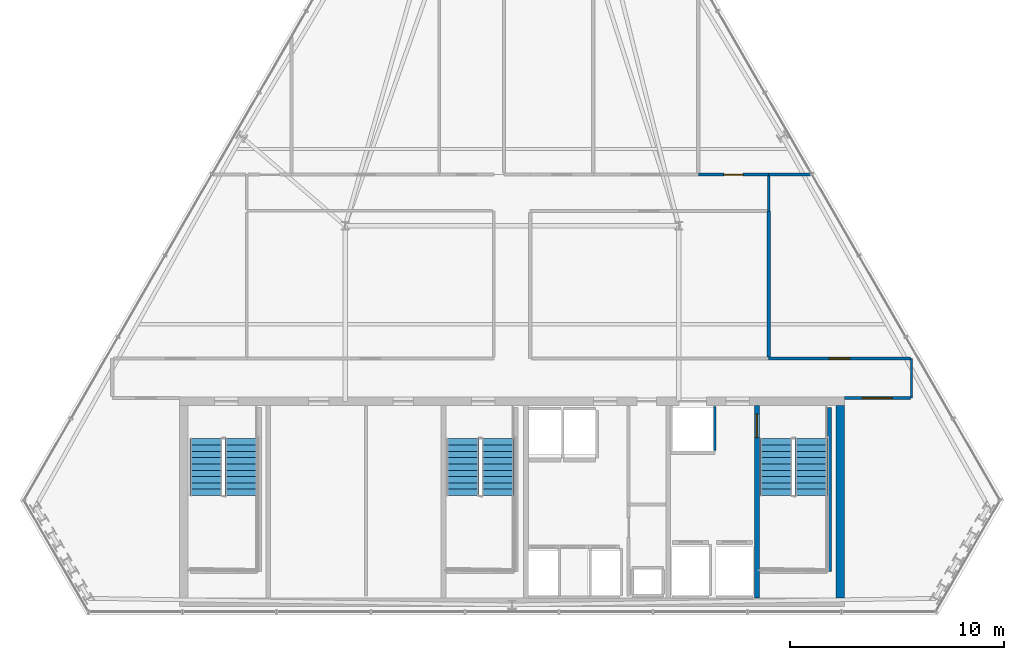
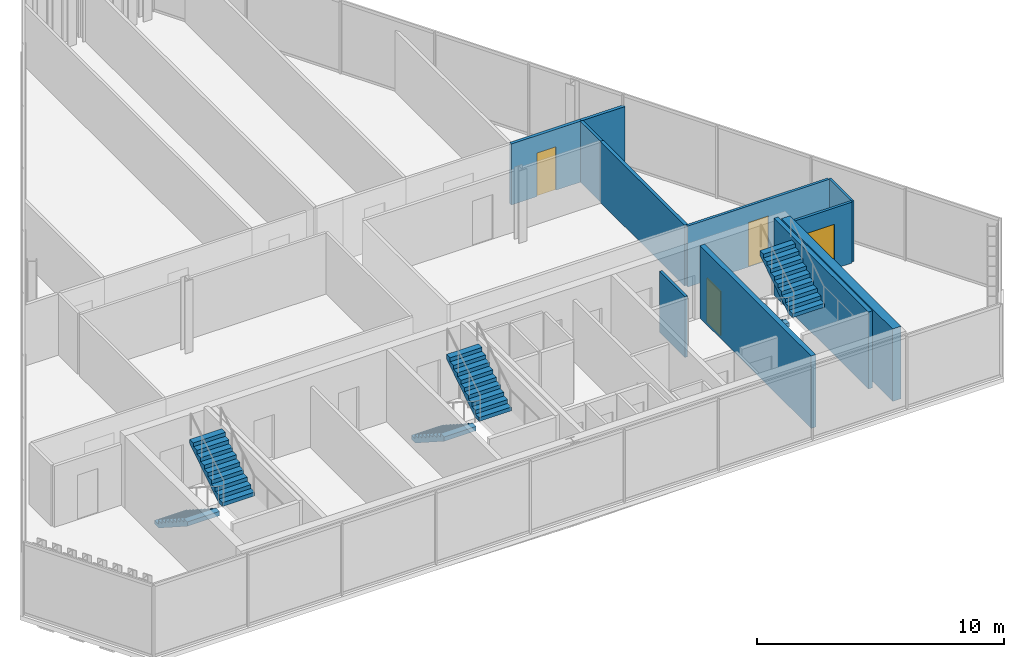
# One storey, part 29 of 32: 11 walls, 6 stair flights, 4 doors, 4 openings, 3 elements without a shape of their own.
"""IFC4 building model written with IfcOpenShell, lengths in metres."""

from ifc_helpers import new_model, si_unit, direction, frame, frame_2d, origin, place, context, subcontext, project, spatial, polyline, rectangle, outline, extrude, material, layer, layer_set, type_object, element, fill, aggregate, save


model = new_model("IFC4")

# Units and contexts
model_context = context("Model", 3, precision=1e-05, world=origin(), true_north=direction((0.0, 1.0)))
body_context = subcontext(model_context, "Body", "Model", "MODEL_VIEW")
ifc_project = project(units=[si_unit("LENGTHUNIT", "METRE"), si_unit("AREAUNIT", "SQUARE_METRE"), si_unit("VOLUMEUNIT", "CUBIC_METRE"), si_unit("PLANEANGLEUNIT", "RADIAN"), si_unit("MASSUNIT", "GRAM", prefix="KILO")], contexts=[model_context])

# Site, building, storey
site_placement = place(None, origin())
site = spatial("IfcSite", under=ifc_project, at=site_placement, CompositionType="ELEMENT")
building_placement = place(site_placement, origin())
building = spatial("IfcBuilding", under=site, at=building_placement, Name="Ndaravel Arena Tower", CompositionType="ELEMENT")
storey_placement = place(building_placement, frame((0.0, 0.0, 256.0)))
storey = spatial("IfcBuildingStorey", under=building, at=storey_placement, Name="L62", CompositionType="ELEMENT", Elevation=256.0)

# Wall, opening, door
ifc_material_1 = material(Name="Concrete C50/60", Category="concrete")
ifc_layer_1 = layer(ifc_material_1, 0.219970703125)
ifc_layer_set_1 = layer_set([ifc_layer_1], Name="Concrete C50/60")
wall_type_1 = type_object("IfcWallType", Name="WALL-CORE-220", PredefinedType="SOLIDWALL", material=ifc_layer_set_1)
wall_1_placement = place(storey_placement, frame((53.449951171875, 5.800048828125, 0.0), z_axis=(0.0, 0.0, 1.0), x_axis=(0.0, 1.0, 0.0)))
wall_1 = element("IfcWall", 1, at=wall_1_placement, inside=storey, type_object=wall_type_1, Name="L62 Core Web Shear Wall 5", PredefinedType="SOLIDWALL", context=body_context, shape_type="SweptSolid", body=[
    extrude(rectangle(XDim=9.0, YDim=0.219970703125, at=frame_2d((4.5, 0.0))), origin(), (0.0, 0.0, 1.0), 3.580078125),
])
opening_1_placement = place(wall_1_placement, frame((7.5, 0.0, 0.0)))
opening_1 = element("IfcOpeningElement", 2, at=opening_1_placement, cuts=wall_1, Name="Opening FD-01", PredefinedType="OPENING", context=body_context, shape_type="SweptSolid", body=[
    extrude(rectangle(XDim=1.10009765625, YDim=2.199951171875, at=frame_2d((0.550048828125, 1.10009765625))), frame((0.0, 0.10986328125, 0.0), z_axis=(0.0, -1.0, 0.0), x_axis=(1.0, 0.0, 0.0)), (0.0, 0.0, 1.0), 0.219970703125),
])
ifc_material_2 = material(Name="Steel S355", Category="steel")
door_type_1 = type_object("IfcDoorType", Name="DT-01-STAIR-1100", OperationType="SINGLE_SWING_LEFT", PredefinedType="DOOR", material=ifc_material_2)
door_1_placement = place(opening_1_placement, origin())
door_1 = element("IfcDoor", 3, at=door_1_placement, inside=storey, type_object=door_type_1, Name="L62 Firefighting Lobby to ST-3 Door", OperationType="SINGLE_SWING_LEFT", OverallHeight=2.199951171875, OverallWidth=1.10009765625, PredefinedType="DOOR", context=body_context, shape_type="SweptSolid", body=[
    extrude(rectangle(XDim=1.10009765625, YDim=2.199951171875, at=frame_2d((0.550048828125, 1.10009765625))), frame((0.0, 0.02490234375, 0.0), z_axis=(0.0, -1.0, 0.0), x_axis=(1.0, 0.0, 0.0)), (0.0, 0.0, 1.0), 0.050048828125),
])
fill(opening_1, door_1)

# Walls
ifc_material_3 = material(Name="Concrete C50/60", Category="concrete")
ifc_layer_2 = layer(ifc_material_3, 0.39990234375)
ifc_layer_set_2 = layer_set([ifc_layer_2], Name="Concrete C50/60")
wall_type_2 = type_object("IfcWallType", Name="WALL-CORE-400", PredefinedType="SOLIDWALL", material=ifc_layer_set_2)
wall_2_placement = place(storey_placement, frame((57.35009765625, 5.800048828125, 0.0), z_axis=(0.0, 0.0, 1.0), x_axis=(0.0, 1.0, 0.0)))
element("IfcWall", 4, at=wall_2_placement, inside=storey, type_object=wall_type_2, Name="L62 Core East Shear Wall", PredefinedType="SOLIDWALL", context=body_context, shape_type="SweptSolid", body=[
    extrude(rectangle(XDim=9.0, YDim=0.39990234375, at=frame_2d((4.5, 0.0))), origin(), (0.0, 0.0, 1.0), 3.580078125),
])
ifc_material_4 = material(Name="Timber", Category="wood")
ifc_layer_3 = layer(ifc_material_4, 0.10009765625)
ifc_layer_set_3 = layer_set([ifc_layer_3], Name="Timber")
wall_type_3 = type_object("IfcWallType", Name="WALL-MOVABLE-100", PredefinedType="MOVABLE", material=ifc_layer_set_3)
wall_3_placement = place(storey_placement, frame((60.68505859375, 17.0, 0.0), z_axis=(0.0, 0.0, 1.0), x_axis=(0.0, -1.0, 0.0)))
element("IfcWall", 5, at=wall_3_placement, inside=storey, type_object=wall_type_3, Name="L62 Interior Partition 001", PredefinedType="MOVABLE", context=body_context, shape_type="SweptSolid", body=[
    extrude(rectangle(XDim=1.85009765625, YDim=0.10009765625, at=frame_2d((0.925048828125, 0.0))), origin(), (0.0, 0.0, 1.0), 3.010498046875),
])

# Wall, opening, door
ifc_material_5 = material(Name="Gypsum", Category="gypsum")
ifc_layer_4 = layer(ifc_material_5, 0.125)
ifc_layer_set_4 = layer_set([ifc_layer_4], Name="Gypsum")
wall_type_4 = type_object("IfcWallType", Name="WALL-PART-125", PredefinedType="PARTITIONING", material=ifc_layer_set_4)
wall_4_placement = place(storey_placement, frame((60.6201171875, 15.14990234375, 0.0), z_axis=(0.0, 0.0, 1.0), x_axis=(-1.0, 0.0, 0.0)))
wall_4 = element("IfcWall", 6, at=wall_4_placement, inside=storey, type_object=wall_type_4, Name="L62 Interior Partition 002", PredefinedType="PARTITIONING", context=body_context, shape_type="SweptSolid", body=[
    extrude(rectangle(XDim=3.070068359375, YDim=0.125, at=frame_2d((1.53515625, 0.0))), origin(), (0.0, 0.0, 1.0), 3.010498046875),
])
opening_2_placement = place(wall_4_placement, frame((0.8349609375, 0.0, 0.0)))
opening_2 = element("IfcOpeningElement", 7, at=opening_2_placement, cuts=wall_4, Name="Opening ID-02", PredefinedType="OPENING", context=body_context, shape_type="SweptSolid", body=[
    extrude(rectangle(XDim=1.39990234375, YDim=2.199951171875, at=frame_2d((0.699951171875, 1.10009765625))), frame((0.0, 0.0625, 0.0), z_axis=(0.0, -1.0, 0.0), x_axis=(1.0, 0.0, 0.0)), (0.0, 0.0, 1.0), 0.125),
])
ifc_material_6 = material(Name="Timber", Category="wood")
door_type_2 = type_object("IfcDoorType", Name="DT-04-SUITE-1400", OperationType="DOUBLE_DOOR_SINGLE_SWING", PredefinedType="DOOR", material=ifc_material_6)
door_2_placement = place(opening_2_placement, origin())
door_2 = element("IfcDoor", 8, at=door_2_placement, inside=storey, type_object=door_type_2, Name="L62 Visitor Reception Desk Door", OperationType="SINGLE_SWING_RIGHT", OverallHeight=2.199951171875, OverallWidth=1.39990234375, PredefinedType="DOOR", context=body_context, shape_type="SweptSolid", body=[
    extrude(rectangle(XDim=1.39990234375, YDim=2.199951171875, at=frame_2d((0.699951171875, 1.10009765625))), frame((0.0, 0.02490234375, 0.0), z_axis=(0.0, -1.0, 0.0), x_axis=(1.0, 0.0, 0.0)), (0.0, 0.0, 1.0), 0.050048828125),
])
fill(opening_2, door_2)

# Wall
wall_5_placement = place(storey_placement, frame((54.0, 25.534912109375, 0.0), z_axis=(0.0, 0.0, 1.0), x_axis=(0.0, -1.0, 0.0)))
element("IfcWall", 9, at=wall_5_placement, inside=storey, type_object=wall_type_4, Name="L62 Interior Partition 017", PredefinedType="PARTITIONING", context=body_context, shape_type="SweptSolid", body=[
    extrude(rectangle(XDim=1.635009765625, YDim=0.125, at=frame_2d((0.8173828125, 0.0))), origin(), (0.0, 0.0, 1.0), 3.010498046875),
])

# Wall, opening, door
wall_6_placement = place(storey_placement, frame((54.0, 17.0, 0.0), z_axis=(0.0, 0.0, 1.0), x_axis=(1.0, 0.0, 0.0)))
wall_6 = element("IfcWall", 10, at=wall_6_placement, inside=storey, type_object=wall_type_4, Name="L62 Interior Partition 021", PredefinedType="PARTITIONING", context=body_context, shape_type="SweptSolid", body=[
    extrude(rectangle(XDim=6.6201171875, YDim=0.125, at=frame_2d((3.31005859375, 0.0))), origin(), (0.0, 0.0, 1.0), 3.010498046875),
])
opening_3_placement = place(wall_6_placement, frame((2.8349609375, 0.0, 0.0)))
opening_3 = element("IfcOpeningElement", 11, at=opening_3_placement, cuts=wall_6, Name="Opening ID-01", PredefinedType="OPENING", context=body_context, shape_type="SweptSolid", body=[
    extrude(rectangle(XDim=0.949951171875, YDim=2.199951171875, at=frame_2d((0.47509765625, 1.10009765625))), frame((0.0, 0.0625, 0.0), z_axis=(0.0, -1.0, 0.0), x_axis=(1.0, 0.0, 0.0)), (0.0, 0.0, 1.0), 0.125),
])
ifc_material_7 = material(Name="Timber", Category="wood")
door_type_3 = type_object("IfcDoorType", Name="DT-03-OFFICE-950", OperationType="SINGLE_SWING_LEFT", PredefinedType="DOOR", material=ifc_material_7)
door_3_placement = place(opening_3_placement, origin())
door_3 = element("IfcDoor", 12, at=door_3_placement, inside=storey, type_object=door_type_3, Name="L62 Barista Galley 3 Door", OperationType="SINGLE_SWING_RIGHT", OverallHeight=2.199951171875, OverallWidth=0.949951171875, PredefinedType="DOOR", context=body_context, shape_type="SweptSolid", body=[
    extrude(rectangle(XDim=0.949951171875, YDim=2.199951171875, at=frame_2d((0.47509765625, 1.10009765625))), frame((0.0, 0.02490234375, 0.0), z_axis=(0.0, -1.0, 0.0), x_axis=(1.0, 0.0, 0.0)), (0.0, 0.0, 1.0), 0.050048828125),
])
fill(opening_3, door_3)

# Walls
ifc_material_8 = material(Name="Concrete C40/50", Category="concrete")
ifc_layer_5 = layer(ifc_material_8, 0.1201171875)
ifc_layer_set_5 = layer_set([ifc_layer_5], Name="Concrete C40/50")
wall_type_5 = type_object("IfcWallType", Name="WALL-SHAFT-120", PredefinedType="SOLIDWALL", material=ifc_layer_set_5)
wall_7_placement = place(storey_placement, frame((51.47998046875, 12.68994140625, 0.0), z_axis=(0.0, 0.0, 1.0), x_axis=(0.0, 1.0, 0.0)))
element("IfcWall", 13, at=wall_7_placement, inside=storey, type_object=wall_type_5, Name="L62 SVL-1 Shaft E Wall", PredefinedType="SOLIDWALL", context=body_context, shape_type="SweptSolid", body=[
    extrude(rectangle(XDim=2.070068359375, YDim=0.1201171875, at=frame_2d((1.03515625, 0.0))), origin(), (0.0, 0.0, 1.0), 3.010498046875),
])
ifc_material_9 = material(Name="Concrete C40/50", Category="concrete")
ifc_layer_6 = layer(ifc_material_9, 0.199951171875)
ifc_layer_set_6 = layer_set([ifc_layer_6], Name="Concrete C40/50")
wall_type_6 = type_object("IfcWallType", Name="WALL-SHAFT-200", PredefinedType="SOLIDWALL", material=ifc_layer_set_6)
wall_8_placement = place(storey_placement, frame((56.840087890625, 14.699951171875, 0.0), z_axis=(0.0, 0.0, 1.0), x_axis=(0.0, -1.0, 0.0)))
element("IfcWall", 14, at=wall_8_placement, inside=storey, type_object=wall_type_6, Name="L62 ST-3 Structural Shaft Wall Right", PredefinedType="SOLIDWALL", context=body_context, shape_type="SweptSolid", body=[
    extrude(rectangle(XDim=7.64990234375, YDim=0.199951171875, at=frame_2d((3.824951171875, 0.0))), origin(), (0.0, 0.0, 1.0), 3.800048828125),
])

# Wall, opening, door
ifc_material_10 = material(Name="Masonry", Category="masonry")
ifc_layer_7 = layer(ifc_material_10, 0.14990234375)
ifc_layer_set_7 = layer_set([ifc_layer_7], Name="Masonry")
wall_type_7 = type_object("IfcWallType", Name="WALL-WET-150", PredefinedType="PARTITIONING", material=ifc_layer_set_7)
wall_9_placement = place(storey_placement, frame((50.7099609375, 25.60009765625, 0.0), z_axis=(0.0, 0.0, 1.0), x_axis=(1.0, 0.0, 0.0)))
wall_9 = element("IfcWall", 15, at=wall_9_placement, inside=storey, type_object=wall_type_7, Name="L62 Interior Partition 016", PredefinedType="PARTITIONING", context=body_context, shape_type="SweptSolid", body=[
    extrude(rectangle(XDim=3.2900390625, YDim=0.14990234375, at=frame_2d((1.64501953125, 0.0))), origin(), (0.0, 0.0, 1.0), 3.010498046875),
])
opening_4_placement = place(wall_9_placement, frame((1.195068359375, 0.0, 0.0)))
opening_4 = element("IfcOpeningElement", 16, at=opening_4_placement, cuts=wall_9, Name="Opening WD-01", PredefinedType="OPENING", context=body_context, shape_type="SweptSolid", body=[
    extrude(rectangle(XDim=0.89990234375, YDim=2.14990234375, at=frame_2d((0.449951171875, 1.074951171875))), frame((0.0, 0.074951171875, 0.0), z_axis=(0.0, -1.0, 0.0), x_axis=(1.0, 0.0, 0.0)), (0.0, 0.0, 1.0), 0.14990234375),
])
ifc_material_11 = material(Name="Timber", Category="wood")
door_type_4 = type_object("IfcDoorType", Name="DT-05-WC-900", OperationType="SINGLE_SWING_LEFT", PredefinedType="DOOR", material=ifc_material_11)
door_4_placement = place(opening_4_placement, origin())
door_4 = element("IfcDoor", 17, at=door_4_placement, inside=storey, type_object=door_type_4, Name="L62 Female & Accessible Restroom Door", OperationType="SINGLE_SWING_RIGHT", OverallHeight=2.14990234375, OverallWidth=0.89990234375, PredefinedType="DOOR", context=body_context, shape_type="SweptSolid", body=[
    extrude(rectangle(XDim=0.89990234375, YDim=2.14990234375, at=frame_2d((0.449951171875, 1.074951171875))), frame((0.0, 0.02490234375, 0.0), z_axis=(0.0, -1.0, 0.0), x_axis=(1.0, 0.0, 0.0)), (0.0, 0.0, 1.0), 0.050048828125),
])
fill(opening_4, door_4)

# Walls
wall_10_placement = place(storey_placement, frame((54.0, 23.89990234375, 0.0), z_axis=(0.0, 0.0, 1.0), x_axis=(0.0, -1.0, 0.0)))
element("IfcWall", 18, at=wall_10_placement, inside=storey, type_object=wall_type_7, Name="L62 Interior Partition 024", PredefinedType="PARTITIONING", context=body_context, shape_type="SweptSolid", body=[
    extrude(rectangle(XDim=6.8349609375, YDim=0.14990234375, at=frame_2d((3.41748046875, 0.0))), origin(), (0.0, 0.0, 1.0), 3.010498046875),
])
wall_11_placement = place(storey_placement, frame((54.0, 25.60009765625, 0.0), z_axis=(0.0, 0.0, 1.0), x_axis=(1.0, 0.0, 0.0)))
element("IfcWall", 19, at=wall_11_placement, inside=storey, type_object=wall_type_7, Name="L62 Interior Partition 025", PredefinedType="PARTITIONING", context=body_context, shape_type="SweptSolid", body=[
    extrude(rectangle(XDim=2.029296875, YDim=0.14990234375, at=frame_2d((1.0146484375, 0.0))), origin(), (0.0, 0.0, 1.0), 3.010498046875),
])

# Stair, stair flights
ifc_material_12 = material(Name="Concrete C40/50", Category="concrete")
stair_type = type_object("IfcStairType", Name="STAIR-CORE-HT", PredefinedType="HALF_TURN_STAIR", material=ifc_material_12)
stair_1_placement = place(storey_placement, origin())
stair_1 = element("IfcStair", 20, at=stair_1_placement, inside=storey, type_object=stair_type, Name="L62 ST-1", PredefinedType="HALF_TURN_STAIR")
ifc_material_13 = material(Name="Concrete C40/50", Category="concrete")
stair_flight_type = type_object("IfcStairFlightType", Name="SFLIGHT-CORE-1680", PredefinedType="STRAIGHT", material=ifc_material_13)
stair_flight_1_placement = place(storey_placement, frame((27.699951171875, 13.25, 0.0), z_axis=(0.0, 0.0, 1.0), x_axis=(0.0, -1.0, 0.0)))
stair_flight_1 = element("IfcStairFlight", 21, at=stair_flight_1_placement, type_object=stair_flight_type, Name="ST-1 flight 1", NumberOfRisers=10, NumberOfTreads=9, PredefinedType="STRAIGHT", RiserHeight=0.19, TreadLength=0.295, context=body_context, shape_type="SweptSolid", body=[
    extrude(outline(polyline([(0.0, 0.0), (0.0, 0.18994140625), (0.294921875, 0.18994140625), (0.294921875, 0.3798828125), (0.590087890625, 0.3798828125), (0.590087890625, 0.570068359375), (0.885009765625, 0.570068359375), (0.885009765625, 0.760009765625), (1.179931640625, 0.760009765625), (1.179931640625, 0.949951171875), (1.47509765625, 0.949951171875), (1.47509765625, 1.139892578125), (1.77001953125, 1.139892578125), (1.77001953125, 1.330078125), (2.06494140625, 1.330078125), (2.06494140625, 1.52001953125), (2.360107421875, 1.52001953125), (2.360107421875, 1.7099609375), (2.655029296875, 1.7099609375), (2.655029296875, 1.89990234375), (2.655029296875, 1.49609375), (0.332275390625, 0.0), (0.0, 0.0)])), frame((0.0, 0.75, 0.0), z_axis=(0.0, -1.0, 0.0), x_axis=(1.0, 0.0, 0.0)), (0.0, 0.0, 1.0), 1.5),
])
stair_flight_2_placement = place(storey_placement, frame((29.340087890625, 10.594970703125, 1.89990234375), z_axis=(0.0, 0.0, 1.0), x_axis=(0.0, 1.0, 0.0)))
stair_flight_2 = element("IfcStairFlight", 22, at=stair_flight_2_placement, type_object=stair_flight_type, Name="ST-1 flight 2", NumberOfRisers=10, NumberOfTreads=9, PredefinedType="STRAIGHT", RiserHeight=0.19, TreadLength=0.295, context=body_context, shape_type="SweptSolid", body=[
    extrude(outline(polyline([(0.0, 0.0), (0.0, 0.18994140625), (0.294921875, 0.18994140625), (0.294921875, 0.3798828125), (0.590087890625, 0.3798828125), (0.590087890625, 0.570068359375), (0.885009765625, 0.570068359375), (0.885009765625, 0.760009765625), (1.179931640625, 0.760009765625), (1.179931640625, 0.949951171875), (1.47509765625, 0.949951171875), (1.47509765625, 1.139892578125), (1.77001953125, 1.139892578125), (1.77001953125, 1.330078125), (2.06494140625, 1.330078125), (2.06494140625, 1.52001953125), (2.360107421875, 1.52001953125), (2.360107421875, 1.7099609375), (2.655029296875, 1.7099609375), (2.655029296875, 1.89990234375), (2.655029296875, 1.49609375), (0.332275390625, 0.0), (0.0, 0.0)])), frame((0.0, 0.75, 0.0), z_axis=(0.0, -1.0, 0.0), x_axis=(1.0, 0.0, 0.0)), (0.0, 0.0, 1.0), 1.5),
])
aggregate(stair_1, [stair_flight_1, stair_flight_2])

stair_2_placement = place(storey_placement, origin())
stair_2 = element("IfcStair", 23, at=stair_2_placement, inside=storey, type_object=stair_type, Name="L62 ST-2", PredefinedType="HALF_TURN_STAIR")
stair_flight_3_placement = place(storey_placement, frame((39.699951171875, 13.25, 0.0), z_axis=(0.0, 0.0, 1.0), x_axis=(0.0, -1.0, 0.0)))
stair_flight_3 = element("IfcStairFlight", 24, at=stair_flight_3_placement, type_object=stair_flight_type, Name="ST-2 flight 1", NumberOfRisers=10, NumberOfTreads=9, PredefinedType="STRAIGHT", RiserHeight=0.19, TreadLength=0.295, context=body_context, shape_type="SweptSolid", body=[
    extrude(outline(polyline([(0.0, 0.0), (0.0, 0.18994140625), (0.294921875, 0.18994140625), (0.294921875, 0.3798828125), (0.590087890625, 0.3798828125), (0.590087890625, 0.570068359375), (0.885009765625, 0.570068359375), (0.885009765625, 0.760009765625), (1.179931640625, 0.760009765625), (1.179931640625, 0.949951171875), (1.47509765625, 0.949951171875), (1.47509765625, 1.139892578125), (1.77001953125, 1.139892578125), (1.77001953125, 1.330078125), (2.06494140625, 1.330078125), (2.06494140625, 1.52001953125), (2.360107421875, 1.52001953125), (2.360107421875, 1.7099609375), (2.655029296875, 1.7099609375), (2.655029296875, 1.89990234375), (2.655029296875, 1.49609375), (0.332275390625, 0.0), (0.0, 0.0)])), frame((0.0, 0.75, 0.0), z_axis=(0.0, -1.0, 0.0), x_axis=(1.0, 0.0, 0.0)), (0.0, 0.0, 1.0), 1.5),
])
stair_flight_4_placement = place(storey_placement, frame((41.340087890625, 10.594970703125, 1.89990234375), z_axis=(0.0, 0.0, 1.0), x_axis=(0.0, 1.0, 0.0)))
stair_flight_4 = element("IfcStairFlight", 25, at=stair_flight_4_placement, type_object=stair_flight_type, Name="ST-2 flight 2", NumberOfRisers=10, NumberOfTreads=9, PredefinedType="STRAIGHT", RiserHeight=0.19, TreadLength=0.295, context=body_context, shape_type="SweptSolid", body=[
    extrude(outline(polyline([(0.0, 0.0), (0.0, 0.18994140625), (0.294921875, 0.18994140625), (0.294921875, 0.3798828125), (0.590087890625, 0.3798828125), (0.590087890625, 0.570068359375), (0.885009765625, 0.570068359375), (0.885009765625, 0.760009765625), (1.179931640625, 0.760009765625), (1.179931640625, 0.949951171875), (1.47509765625, 0.949951171875), (1.47509765625, 1.139892578125), (1.77001953125, 1.139892578125), (1.77001953125, 1.330078125), (2.06494140625, 1.330078125), (2.06494140625, 1.52001953125), (2.360107421875, 1.52001953125), (2.360107421875, 1.7099609375), (2.655029296875, 1.7099609375), (2.655029296875, 1.89990234375), (2.655029296875, 1.49609375), (0.332275390625, 0.0), (0.0, 0.0)])), frame((0.0, 0.75, 0.0), z_axis=(0.0, -1.0, 0.0), x_axis=(1.0, 0.0, 0.0)), (0.0, 0.0, 1.0), 1.5),
])
aggregate(stair_2, [stair_flight_3, stair_flight_4])

stair_3_placement = place(storey_placement, origin())
stair_3 = element("IfcStair", 26, at=stair_3_placement, inside=storey, type_object=stair_type, Name="L62 ST-3", PredefinedType="HALF_TURN_STAIR")
stair_flight_5_placement = place(storey_placement, frame((54.35009765625, 13.25, 0.0), z_axis=(0.0, 0.0, 1.0), x_axis=(0.0, -1.0, 0.0)))
stair_flight_5 = element("IfcStairFlight", 27, at=stair_flight_5_placement, type_object=stair_flight_type, Name="ST-3 flight 1", NumberOfRisers=10, NumberOfTreads=9, PredefinedType="STRAIGHT", RiserHeight=0.19, TreadLength=0.295, context=body_context, shape_type="SweptSolid", body=[
    extrude(outline(polyline([(0.0, 0.0), (0.0, 0.18994140625), (0.294921875, 0.18994140625), (0.294921875, 0.3798828125), (0.590087890625, 0.3798828125), (0.590087890625, 0.570068359375), (0.885009765625, 0.570068359375), (0.885009765625, 0.760009765625), (1.179931640625, 0.760009765625), (1.179931640625, 0.949951171875), (1.47509765625, 0.949951171875), (1.47509765625, 1.139892578125), (1.77001953125, 1.139892578125), (1.77001953125, 1.330078125), (2.06494140625, 1.330078125), (2.06494140625, 1.52001953125), (2.360107421875, 1.52001953125), (2.360107421875, 1.7099609375), (2.655029296875, 1.7099609375), (2.655029296875, 1.89990234375), (2.655029296875, 1.49609375), (0.332275390625, 0.0), (0.0, 0.0)])), frame((0.0, 0.75, 0.0), z_axis=(0.0, -1.0, 0.0), x_axis=(1.0, 0.0, 0.0)), (0.0, 0.0, 1.0), 1.5),
])
stair_flight_6_placement = place(storey_placement, frame((55.989990234375, 10.594970703125, 1.89990234375), z_axis=(0.0, 0.0, 1.0), x_axis=(0.0, 1.0, 0.0)))
stair_flight_6 = element("IfcStairFlight", 28, at=stair_flight_6_placement, type_object=stair_flight_type, Name="ST-3 flight 2", NumberOfRisers=10, NumberOfTreads=9, PredefinedType="STRAIGHT", RiserHeight=0.19, TreadLength=0.295, context=body_context, shape_type="SweptSolid", body=[
    extrude(outline(polyline([(0.0, 0.0), (0.0, 0.18994140625), (0.294921875, 0.18994140625), (0.294921875, 0.3798828125), (0.590087890625, 0.3798828125), (0.590087890625, 0.570068359375), (0.885009765625, 0.570068359375), (0.885009765625, 0.760009765625), (1.179931640625, 0.760009765625), (1.179931640625, 0.949951171875), (1.47509765625, 0.949951171875), (1.47509765625, 1.139892578125), (1.77001953125, 1.139892578125), (1.77001953125, 1.330078125), (2.06494140625, 1.330078125), (2.06494140625, 1.52001953125), (2.360107421875, 1.52001953125), (2.360107421875, 1.7099609375), (2.655029296875, 1.7099609375), (2.655029296875, 1.89990234375), (2.655029296875, 1.49609375), (0.332275390625, 0.0), (0.0, 0.0)])), frame((0.0, 0.75, 0.0), z_axis=(0.0, -1.0, 0.0), x_axis=(1.0, 0.0, 0.0)), (0.0, 0.0, 1.0), 1.5),
])
aggregate(stair_3, [stair_flight_5, stair_flight_6])

save(model, "model.ifc")
